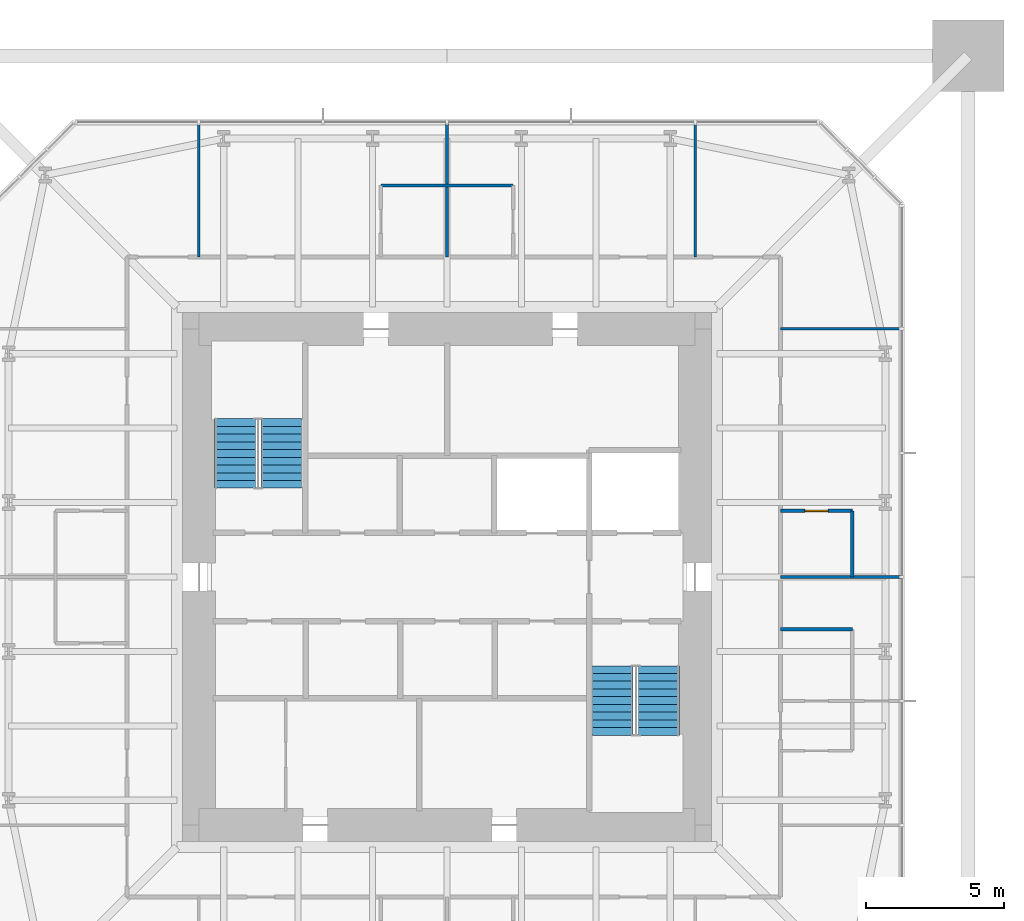
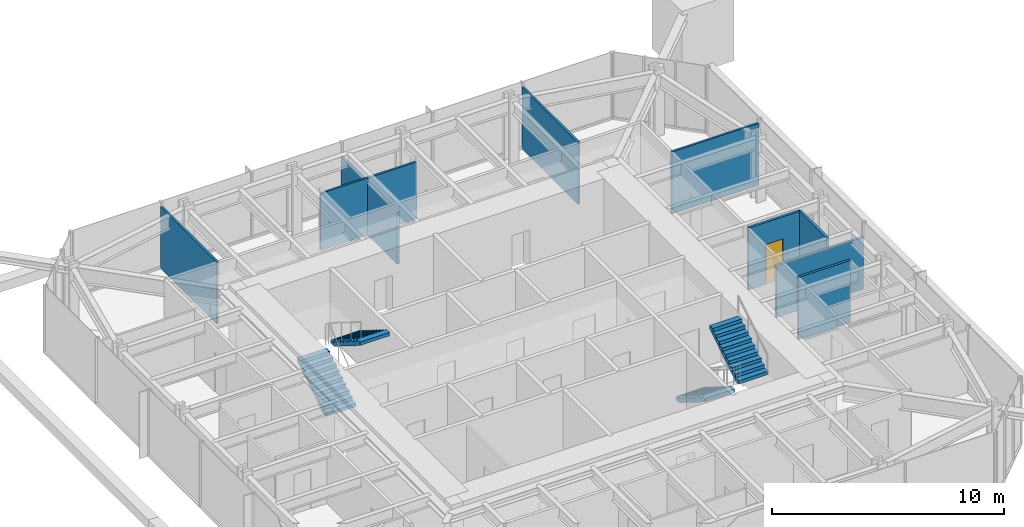
# One storey, part 9 of 10: 9 walls, 4 stair flights, 1 door, 1 opening, 2 elements without a shape of their own.
"""IFC4 building model written with IfcOpenShell, lengths in metres."""

from ifc_helpers import new_model, si_unit, direction, frame, frame_2d, origin, place, context, subcontext, project, spatial, polyline, rectangle, outline, extrude, material, layer, layer_set, constituent, constituent_set, type_object, element, fill, aggregate, save


model = new_model("IFC4")

# Units and contexts
model_context = context("Model", 3, precision=1e-05, world=origin(), true_north=direction((0.0, 1.0)))
body_context = subcontext(model_context, "Body", "Model", "MODEL_VIEW")
ifc_project = project(units=[si_unit("LENGTHUNIT", "METRE"), si_unit("AREAUNIT", "SQUARE_METRE"), si_unit("VOLUMEUNIT", "CUBIC_METRE"), si_unit("PLANEANGLEUNIT", "RADIAN"), si_unit("MASSUNIT", "GRAM", prefix="KILO")], contexts=[model_context])

# Site, building, storey
site_placement = place(None, origin())
site = spatial("IfcSite", under=ifc_project, at=site_placement, CompositionType="ELEMENT")
building_placement = place(site_placement, origin())
building = spatial("IfcBuilding", under=site, at=building_placement, Name="Iwan Alto Co-Living Towers", CompositionType="ELEMENT")
storey_placement = place(building_placement, frame((0.0, 0.0, 253.5)))
storey = spatial("IfcBuildingStorey", under=building, at=storey_placement, Name="L69", CompositionType="ELEMENT", Elevation=253.5)

# Walls
ifc_material_1 = material(Name="Gypsum board")
ifc_layer_1 = layer(ifc_material_1, 0.012451171875, Name="Board", Category="Finish")
ifc_material_2 = material(Name="Steel ASTM A1003 ST33H cold-formed studs", Category="steel")
ifc_layer_2 = layer(ifc_material_2, 0.074951171875, Name="Studs", Category="Framing")
ifc_layer_3 = layer(ifc_material_1, 0.012451171875, Name="Board", Category="Finish")
ifc_layer_set_1 = layer_set([ifc_layer_1, ifc_layer_2, ifc_layer_3], Name="PARTITION 100")
wall_type_1 = type_object("IfcWallType", Name="PARTITION 100", PredefinedType="PARTITIONING", material=ifc_layer_set_1)
wall_1_placement = place(storey_placement, frame((12.10009765625, 9.0, 0.0), z_axis=(0.0, 0.0, 1.0), x_axis=(1.0, 0.0, 0.0)))
element("IfcWall", 1, at=wall_1_placement, inside=storey, type_object=wall_type_1, Name="Partition L69", PredefinedType="PARTITIONING", context=body_context, shape_type="SweptSolid", body=[
    extrude(rectangle(XDim=4.33984375, YDim=0.10009765625, at=frame_2d((2.169921875, 0.0))), origin(), (0.0, 0.0, 1.0), 3.27001953125),
])
wall_2_placement = place(storey_placement, frame((-2.39990234375, 14.199951171875, 0.0), z_axis=(0.0, 0.0, 1.0), x_axis=(1.0, 0.0, 0.0)))
element("IfcWall", 2, at=wall_2_placement, inside=storey, type_object=wall_type_1, Name="Partition L69", PredefinedType="PARTITIONING", context=body_context, shape_type="SweptSolid", body=[
    extrude(rectangle(XDim=4.7998046875, YDim=0.10009765625, at=frame_2d((2.39990234375, 0.0))), origin(), (0.0, 0.0, 1.0), 3.0),
])
for number, where, z_axis, x_axis, name in (
    (3, (9.0, 11.60009765625, 0.0), (0.0, 0.0, 1.0), (0.0, 1.0, 0.0), "Partition L69"),
    (4, (-9.0, 11.60009765625, 0.0), (0.0, 0.0, 1.0), (0.0, 1.0, 0.0), "Partition L69"),
):
    element("IfcWall", number, at=place(storey_placement, frame(where, z_axis=z_axis, x_axis=x_axis)), inside=storey, type_object=wall_type_1, Name=name, PredefinedType="PARTITIONING", context=body_context, shape_type="SweptSolid", body=[
        extrude(rectangle(XDim=4.83984375, YDim=0.10009765625, at=frame_2d((2.419921875, 0.0))), origin(), (0.0, 0.0, 1.0), 3.27001953125),
    ])
ifc_material_3 = material(Name="Cement board")
ifc_layer_4 = layer(ifc_material_3, 0.012451171875, Name="Board", Category="Finish")
ifc_layer_5 = layer(ifc_material_2, 0.094970703125, Name="Studs", Category="Framing")
ifc_layer_6 = layer(ifc_material_3, 0.012451171875, Name="Board", Category="Finish")
ifc_layer_set_2 = layer_set([ifc_layer_4, ifc_layer_5, ifc_layer_6], Name="WET AREA PARTITION 120")
wall_type_2 = type_object("IfcWallType", Name="WET AREA PARTITION 120", PredefinedType="PARTITIONING", material=ifc_layer_set_2)
wall_3_placement = place(storey_placement, frame((12.10009765625, -1.89990234375, 0.0), z_axis=(0.0, 0.0, 1.0), x_axis=(1.0, 0.0, 0.0)))
element("IfcWall", 5, at=wall_3_placement, inside=storey, type_object=wall_type_2, Name="Partition L69", PredefinedType="PARTITIONING", context=body_context, shape_type="SweptSolid", body=[
    extrude(rectangle(XDim=2.599853515625, YDim=0.1201171875, at=frame_2d((1.2998046875, 0.0))), origin(), (0.0, 0.0, 1.0), 3.27001953125),
])
wall_4_placement = place(storey_placement, frame((12.10009765625, 0.0, 0.0), z_axis=(0.0, 0.0, 1.0), x_axis=(1.0, 0.0, 0.0)))
element("IfcWall", 6, at=wall_4_placement, inside=storey, type_object=wall_type_2, Name="Partition L69", PredefinedType="PARTITIONING", context=body_context, shape_type="SweptSolid", body=[
    extrude(rectangle(XDim=4.33984375, YDim=0.1201171875, at=frame_2d((2.169921875, 0.0))), origin(), (0.0, 0.0, 1.0), 2.736572265625),
])

# Wall, opening, door
wall_5_placement = place(storey_placement, frame((12.10009765625, 2.39990234375, 0.0), z_axis=(0.0, 0.0, 1.0), x_axis=(1.0, 0.0, 0.0)))
wall_5 = element("IfcWall", 7, at=wall_5_placement, inside=storey, type_object=wall_type_2, Name="Partition L69", PredefinedType="PARTITIONING", context=body_context, shape_type="SweptSolid", body=[
    extrude(rectangle(XDim=2.599853515625, YDim=0.1201171875, at=frame_2d((1.2998046875, 0.0))), origin(), (0.0, 0.0, 1.0), 3.27001953125),
])
opening_placement = place(wall_5_placement, frame((0.875, 0.0, 0.0)))
opening = element("IfcOpeningElement", 8, at=opening_placement, cuts=wall_5, Name="Opening D2", PredefinedType="OPENING", context=body_context, shape_type="SweptSolid", body=[
    extrude(rectangle(XDim=0.85009765625, YDim=2.10009765625, at=frame_2d((0.425048828125, 1.050048828125))), frame((0.0, 0.070068359375, 0.0), z_axis=(0.0, -1.0, 0.0), x_axis=(1.0, 0.0, 0.0)), (0.0, 0.0, 1.0), 0.14013671875),
])
ifc_material_4 = material(Name="Timber leaf in steel frame", Category="steel")
door_type = type_object("IfcDoorType", Name="ROOM DOOR 850X2100", OperationType="SINGLE_SWING_LEFT", PredefinedType="DOOR", material=ifc_material_4)
door_placement = place(opening_placement, origin())
door = element("IfcDoor", 9, at=door_placement, inside=storey, type_object=door_type, Name="En-suite shower room door L69", OperationType="SINGLE_SWING_LEFT", OverallHeight=2.10009765625, OverallWidth=0.85009765625, PredefinedType="DOOR", context=body_context, shape_type="SweptSolid", body=[
    extrude(rectangle(XDim=0.85009765625, YDim=2.10009765625, at=frame_2d((0.425048828125, 1.050048828125))), frame((0.0, 0.02490234375, 0.0), z_axis=(0.0, -1.0, 0.0), x_axis=(1.0, 0.0, 0.0)), (0.0, 0.0, 1.0), 0.050048828125),
])
fill(opening, door)

# Walls
wall_6_placement = place(storey_placement, frame((14.699951171875, 0.0, 0.0), z_axis=(0.0, 0.0, 1.0), x_axis=(0.0, 1.0, 0.0)))
element("IfcWall", 10, at=wall_6_placement, inside=storey, type_object=wall_type_2, Name="Partition L69", PredefinedType="PARTITIONING", context=body_context, shape_type="SweptSolid", body=[
    extrude(rectangle(XDim=2.39990234375, YDim=0.1201171875, at=frame_2d((1.199951171875, 0.0))), origin(), (0.0, 0.0, 1.0), 3.27001953125),
])
wall_7_placement = place(storey_placement, frame((0.0, 11.60009765625, 0.0), z_axis=(0.0, 0.0, 1.0), x_axis=(0.0, 1.0, 0.0)))
element("IfcWall", 11, at=wall_7_placement, inside=storey, type_object=wall_type_2, Name="Partition L69", PredefinedType="PARTITIONING", context=body_context, shape_type="SweptSolid", body=[
    extrude(rectangle(XDim=4.83984375, YDim=0.1201171875, at=frame_2d((2.419921875, 0.0))), origin(), (0.0, 0.0, 1.0), 2.736572265625),
])

# Stair, stair flights
ifc_material_5 = material(Name="Steel ASTM A36", Category="steel")
ifc_constituent_1 = constituent(ifc_material_5, Name="Stringers", Category="LoadBearing")
ifc_material_6 = material(Name="Concrete f'c 30 MPa", Category="concrete")
ifc_constituent_2 = constituent(ifc_material_6, Name="Tread fill", Category="Finish")
ifc_constituent_set_1 = constituent_set(constituents=[ifc_constituent_1, ifc_constituent_2], Name="STAIR 3500 TWO-FLIGHT T1 CORE")
stair_type = type_object("IfcStairType", Name="STAIR 3500 TWO-FLIGHT T1 CORE", PredefinedType="HALF_TURN_STAIR", material=ifc_constituent_set_1)
stair_1_placement = place(storey_placement, origin())
stair_1 = element("IfcStair", 12, at=stair_1_placement, inside=storey, type_object=stair_type, Name="Stair T1-S1 L69 to L70", PredefinedType="HALF_TURN_STAIR")
ifc_constituent_3 = constituent(ifc_material_5, Name="Stringers", Category="LoadBearing")
ifc_constituent_4 = constituent(ifc_material_6, Name="Tread fill", Category="Finish")
ifc_constituent_set_2 = constituent_set(constituents=[ifc_constituent_3, ifc_constituent_4], Name="STAIR FLIGHT 10 RISERS 280 GOING")
stair_flight_type = type_object("IfcStairFlightType", Name="STAIR FLIGHT 10 RISERS 280 GOING", PredefinedType="STRAIGHT", material=ifc_constituent_set_2)
stair_flight_1_placement = place(storey_placement, frame((-7.68994140625, 3.219970703125, 0.0), z_axis=(0.0, 0.0, 1.0), x_axis=(0.0, 1.0, 0.0)))
stair_flight_1 = element("IfcStairFlight", 13, at=stair_flight_1_placement, type_object=stair_flight_type, Name="T1-S1 flight 1", NumberOfRisers=10, NumberOfTreads=9, PredefinedType="STRAIGHT", RiserHeight=0.175, TreadLength=0.28, context=body_context, shape_type="SweptSolid", body=[
    extrude(outline(polyline([(0.0, 0.0), (0.0, 0.175048828125), (0.280029296875, 0.175048828125), (0.280029296875, 0.35009765625), (0.56005859375, 0.35009765625), (0.56005859375, 0.52490234375), (0.840087890625, 0.52490234375), (0.840087890625, 0.699951171875), (1.1201171875, 0.699951171875), (1.1201171875, 0.875), (1.39990234375, 0.875), (1.39990234375, 1.050048828125), (1.679931640625, 1.050048828125), (1.679931640625, 1.22509765625), (1.9599609375, 1.22509765625), (1.9599609375, 1.39990234375), (2.239990234375, 1.39990234375), (2.239990234375, 1.574951171875), (2.52001953125, 1.574951171875), (2.52001953125, 1.75), (2.52001953125, 1.398193359375), (0.28271484375, 0.0), (0.0, 0.0)])), frame((0.0, 0.739990234375, 0.0), z_axis=(0.0, -1.0, 0.0), x_axis=(1.0, 0.0, 0.0)), (0.0, 0.0, 1.0), 1.47998046875),
])
stair_flight_2_placement = place(storey_placement, frame((-6.010009765625, 5.739990234375, 1.75), z_axis=(0.0, 0.0, 1.0), x_axis=(0.0, -1.0, 0.0)))
stair_flight_2 = element("IfcStairFlight", 14, at=stair_flight_2_placement, type_object=stair_flight_type, Name="T1-S1 flight 2", NumberOfRisers=10, NumberOfTreads=9, PredefinedType="STRAIGHT", RiserHeight=0.175, TreadLength=0.28, context=body_context, shape_type="SweptSolid", body=[
    extrude(outline(polyline([(0.0, 0.0), (0.0, 0.175048828125), (0.280029296875, 0.175048828125), (0.280029296875, 0.35009765625), (0.56005859375, 0.35009765625), (0.56005859375, 0.52490234375), (0.840087890625, 0.52490234375), (0.840087890625, 0.699951171875), (1.1201171875, 0.699951171875), (1.1201171875, 0.875), (1.39990234375, 0.875), (1.39990234375, 1.050048828125), (1.679931640625, 1.050048828125), (1.679931640625, 1.22509765625), (1.9599609375, 1.22509765625), (1.9599609375, 1.39990234375), (2.239990234375, 1.39990234375), (2.239990234375, 1.574951171875), (2.52001953125, 1.574951171875), (2.52001953125, 1.75), (2.52001953125, 1.398193359375), (0.28271484375, 0.0), (0.0, 0.0)])), frame((0.0, 0.739990234375, 0.0), z_axis=(0.0, -1.0, 0.0), x_axis=(1.0, 0.0, 0.0)), (0.0, 0.0, 1.0), 1.47998046875),
])
aggregate(stair_1, [stair_flight_1, stair_flight_2])

stair_2_placement = place(storey_placement, origin())
stair_2 = element("IfcStair", 15, at=stair_2_placement, inside=storey, type_object=stair_type, Name="Stair T1-S2 L69 to L70", PredefinedType="HALF_TURN_STAIR")
stair_flight_3_placement = place(storey_placement, frame((6.010009765625, -3.219970703125, 0.0), z_axis=(0.0, 0.0, 1.0), x_axis=(0.0, -1.0, 0.0)))
stair_flight_3 = element("IfcStairFlight", 16, at=stair_flight_3_placement, type_object=stair_flight_type, Name="T1-S2 flight 1", NumberOfRisers=10, NumberOfTreads=9, PredefinedType="STRAIGHT", RiserHeight=0.175, TreadLength=0.28, context=body_context, shape_type="SweptSolid", body=[
    extrude(outline(polyline([(0.0, 0.0), (0.0, 0.175048828125), (0.280029296875, 0.175048828125), (0.280029296875, 0.35009765625), (0.56005859375, 0.35009765625), (0.56005859375, 0.52490234375), (0.840087890625, 0.52490234375), (0.840087890625, 0.699951171875), (1.1201171875, 0.699951171875), (1.1201171875, 0.875), (1.39990234375, 0.875), (1.39990234375, 1.050048828125), (1.679931640625, 1.050048828125), (1.679931640625, 1.22509765625), (1.9599609375, 1.22509765625), (1.9599609375, 1.39990234375), (2.239990234375, 1.39990234375), (2.239990234375, 1.574951171875), (2.52001953125, 1.574951171875), (2.52001953125, 1.75), (2.52001953125, 1.398193359375), (0.28271484375, 0.0), (0.0, 0.0)])), frame((0.0, 0.739990234375, 0.0), z_axis=(0.0, -1.0, 0.0), x_axis=(1.0, 0.0, 0.0)), (0.0, 0.0, 1.0), 1.47998046875),
])
stair_flight_4_placement = place(storey_placement, frame((7.68994140625, -5.739990234375, 1.75), z_axis=(0.0, 0.0, 1.0), x_axis=(0.0, 1.0, 0.0)))
stair_flight_4 = element("IfcStairFlight", 17, at=stair_flight_4_placement, type_object=stair_flight_type, Name="T1-S2 flight 2", NumberOfRisers=10, NumberOfTreads=9, PredefinedType="STRAIGHT", RiserHeight=0.175, TreadLength=0.28, context=body_context, shape_type="SweptSolid", body=[
    extrude(outline(polyline([(0.0, 0.0), (0.0, 0.175048828125), (0.280029296875, 0.175048828125), (0.280029296875, 0.35009765625), (0.56005859375, 0.35009765625), (0.56005859375, 0.52490234375), (0.840087890625, 0.52490234375), (0.840087890625, 0.699951171875), (1.1201171875, 0.699951171875), (1.1201171875, 0.875), (1.39990234375, 0.875), (1.39990234375, 1.050048828125), (1.679931640625, 1.050048828125), (1.679931640625, 1.22509765625), (1.9599609375, 1.22509765625), (1.9599609375, 1.39990234375), (2.239990234375, 1.39990234375), (2.239990234375, 1.574951171875), (2.52001953125, 1.574951171875), (2.52001953125, 1.75), (2.52001953125, 1.398193359375), (0.28271484375, 0.0), (0.0, 0.0)])), frame((0.0, 0.739990234375, 0.0), z_axis=(0.0, -1.0, 0.0), x_axis=(1.0, 0.0, 0.0)), (0.0, 0.0, 1.0), 1.47998046875),
])
aggregate(stair_2, [stair_flight_3, stair_flight_4])

save(model, "model.ifc")
